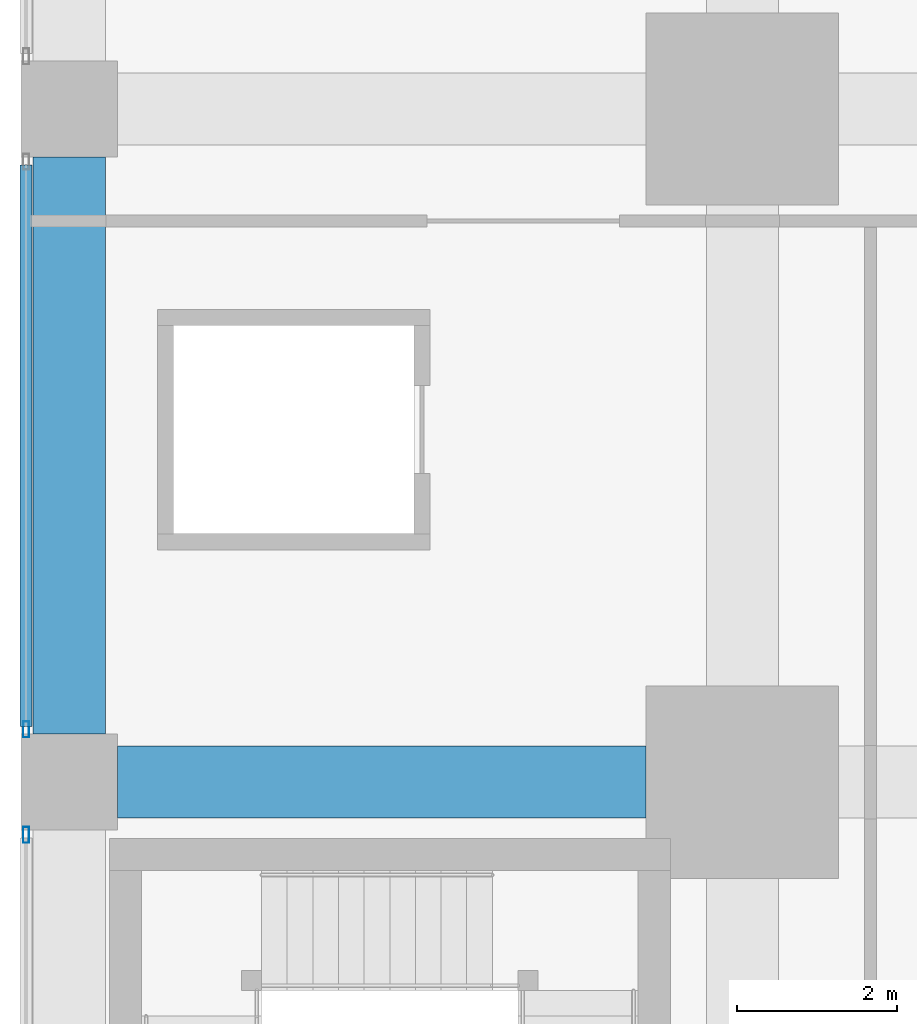
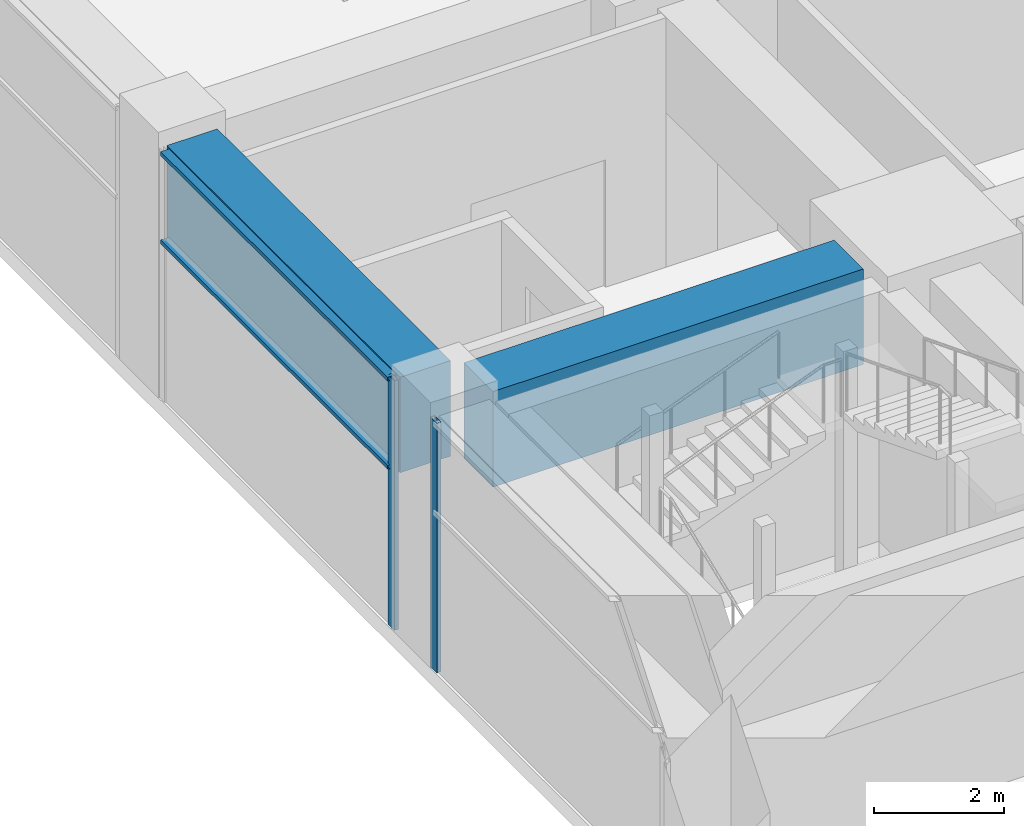
# One storey, part 17 of 49: 4 members, 2 beams, 2 elements without a shape of their own.
"""IFC4 building model written with IfcOpenShell, lengths in metres."""

import ifcopenshell
import ifcopenshell.guid

model = None  # the IFC model being written
_history = None  # IfcOwnerHistory: only IFC2X3 demands one
_inside = {}  # id of a spatial element -> (the spatial element, [elements in it])
_under = {}  # id of a project, library or spatial element -> (it, [spatial elements below it])
_declared = {}  # id of a project -> (the project, [libraries it declares])
_typed = {}  # id of a type object -> (the type object, [elements of that type])
_made_of = {}  # id of a material, layer set ... -> (it, [elements and type objects made of it])


def new_model(schema):
    """Start an empty IFC model of exactly this schema.

    Asked for "IFC4X3", IfcOpenShell would pick the latest addendum, in which some entities
    have other attributes; the version numbers below select the first issue.
    IFC2X3 requires an IfcOwnerHistory on every rooted entity: one is made here for all.
    """
    global model, _history
    if schema == "IFC4X3":
        model = ifcopenshell.file(schema_version=(4, 3, 0, 0))
    else:
        model = ifcopenshell.file(schema=schema)
    _inside.clear()
    _under.clear()
    _declared.clear()
    _typed.clear()
    _made_of.clear()
    _history = None
    if model.schema == "IFC2X3":
        org = make("IfcOrganization", Name="unknown")
        user = make(
            "IfcPersonAndOrganization",
            ThePerson=make("IfcPerson", FamilyName="unknown"),
            TheOrganization=org,
        )
        app = make(
            "IfcApplication",
            ApplicationDeveloper=org,
            Version="unknown",
            ApplicationFullName="unknown",
            ApplicationIdentifier="unknown",
        )
        _history = make(
            "IfcOwnerHistory",
            OwningUser=user,
            OwningApplication=app,
            ChangeAction="ADDED",
            CreationDate=0,
        )
    return model


def make(cls, **values):
    """One entity of the class cls with the attributes given. An attribute that is None is left unset."""
    return model.create_entity(
        cls, **{name: value for name, value in values.items() if value is not None}
    )


def rooted(cls, **values):
    """An entity with a GlobalId (a new one), such as an element, a storey or a relation."""
    return make(cls, GlobalId=ifcopenshell.guid.new(), OwnerHistory=_history, **values)


def si_unit(unit_type, name, prefix=None):
    """IfcSIUnit, for example si_unit("LENGTHUNIT", "METRE", prefix="MILLI")."""
    return make("IfcSIUnit", UnitType=unit_type, Prefix=prefix, Name=name)


def assignment(units):
    """IfcUnitAssignment: the units of a project."""
    return None if units is None else make("IfcUnitAssignment", Units=units)


def point(xyz):
    """IfcCartesianPoint."""
    return None if xyz is None else make("IfcCartesianPoint", Coordinates=xyz)


def direction(xyz):
    """IfcDirection."""
    return None if xyz is None else make("IfcDirection", DirectionRatios=xyz)


def frame(location, z_axis=None, x_axis=None):
    """IfcAxis2Placement3D, a coordinate frame: its origin and axes. An axis left out is left unset."""
    return make(
        "IfcAxis2Placement3D",
        Location=point(location),
        Axis=direction(z_axis),
        RefDirection=direction(x_axis),
    )


def frame_2d(location, x_axis=None):
    """IfcAxis2Placement2D, a coordinate frame in the plane: its origin and x axis."""
    return make(
        "IfcAxis2Placement2D", Location=point(location), RefDirection=direction(x_axis)
    )


def origin():
    """The frame at (0, 0, 0) with its axes left unset."""
    return frame((0.0, 0.0, 0.0))


def origin_2d():
    """The frame at (0, 0) in the plane with its x axis left unset."""
    return frame_2d((0.0, 0.0))


def place(relative_to, where):
    """IfcLocalPlacement: puts the frame where relative to a parent placement (None: the world)."""
    return make(
        "IfcLocalPlacement", PlacementRelTo=relative_to, RelativePlacement=where
    )


def context(
    kind, dimensions, precision=None, world=None, true_north=None, identifier=None
):
    """IfcGeometricRepresentationContext, for example the 3D "Model" context."""
    return make(
        "IfcGeometricRepresentationContext",
        ContextIdentifier=identifier,
        ContextType=kind,
        CoordinateSpaceDimension=dimensions,
        Precision=precision,
        WorldCoordinateSystem=world,
        TrueNorth=true_north,
    )


def subcontext(parent, identifier, kind, view, scale=None):
    """IfcGeometricRepresentationSubContext, for example "Body" below "Model"."""
    return make(
        "IfcGeometricRepresentationSubContext",
        ContextIdentifier=identifier,
        ContextType=kind,
        ParentContext=parent,
        TargetScale=scale,
        TargetView=view,
    )


def project(units=None, contexts=None):
    """IfcProject with its units and contexts."""
    return rooted(
        "IfcProject",
        Name="project",
        RepresentationContexts=contexts,
        UnitsInContext=assignment(units),
    )


def spatial(cls, under=None, at=None, **own):
    """A site, building, storey or space (cls), placed at a placement, below another one or the project."""
    s = rooted(cls, ObjectPlacement=at, **own)
    if under is not None:
        _under.setdefault(under.id(), (under, []))[1].append(s)
    return s


def profile(cls, at=None, kind="AREA", **sizes):
    """A parametric profile (cls). Its sizes go by their IFC names, for example OverallWidth=200.0."""
    return make(cls, ProfileType=kind, Position=at, **sizes)


def rectangle(**sizes):
    """IfcRectangleProfileDef."""
    return profile("IfcRectangleProfileDef", **sizes)


def hollow_rectangle(**sizes):
    """IfcRectangleHollowProfileDef."""
    return profile("IfcRectangleHollowProfileDef", **sizes)


def extrude(swept, where, along, depth):
    """IfcExtrudedAreaSolid: the profile swept, set in the frame where, extruded along a direction by depth."""
    return make(
        "IfcExtrudedAreaSolid",
        SweptArea=swept,
        Position=where,
        ExtrudedDirection=direction(along),
        Depth=depth,
    )


def shape(context_of_items, identifier, shape_type, items):
    """IfcShapeRepresentation: the items that make up one representation, for example the "Body"."""
    return make(
        "IfcShapeRepresentation",
        ContextOfItems=context_of_items,
        RepresentationIdentifier=identifier,
        RepresentationType=shape_type,
        Items=items,
    )


def material(Name=None, Category=None):
    """IfcMaterial."""
    return make("IfcMaterial", Name=Name, Category=Category)


def material_profile(
    of_material, cross_section, Name=None, Category=None, Priority=None
):
    """IfcMaterialProfile: a cross section and its material."""
    return make(
        "IfcMaterialProfile",
        Name=Name,
        Material=of_material,
        Profile=cross_section,
        Priority=Priority,
        Category=Category,
    )


def profile_set(profiles, Name=None, composite=None):
    """IfcMaterialProfileSet."""
    return make(
        "IfcMaterialProfileSet",
        Name=Name,
        MaterialProfiles=profiles,
        CompositeProfile=composite,
    )


def made_of(thing, what):
    """Note that an element or type object is made of a material, layer set ...; save() writes the relation."""
    if what is not None:
        _made_of.setdefault(what.id(), (what, []))[1].append(thing)
    return thing


def type_object(cls, material=None, **own):
    """A type object (cls), such as IfcWallType, which elements share."""
    return made_of(rooted(cls, **own), material)


def element(
    cls,
    number,
    at=None,
    inside=None,
    cuts=None,
    type_object=None,
    material=None,
    context=None,
    identifier="Body",
    shape_type=None,
    held_by="IfcProductDefinitionShape",
    body=None,
    shapes=None,
    **own,
):
    """One element of the class cls, such as IfcWall. Its Tag is "e" and its number.

    at: its placement. inside: the storey or other place that contains it. cuts: it is an
    opening in that element (IfcRelVoidsElement). A single representation is given by context,
    identifier, shape_type and body (its items); several are given by shapes. held_by: the class
    of the entity that holds the representations. save() writes the other relations.
    """
    e = rooted(cls, Tag="e%d" % number, ObjectPlacement=at, **own)
    if body is not None:
        shapes = [shape(context, identifier, shape_type, body)]
    if shapes is not None:
        e.Representation = make(held_by, Representations=shapes)
    if inside is not None:
        _inside.setdefault(inside.id(), (inside, []))[1].append(e)
    if cuts is not None:
        rooted(
            "IfcRelVoidsElement", RelatingBuildingElement=cuts, RelatedOpeningElement=e
        )
    if type_object is not None:
        _typed.setdefault(type_object.id(), (type_object, []))[1].append(e)
    return made_of(e, material)


def aggregate(whole, parts):
    """IfcRelAggregates: a whole, such as a stair, and the parts it consists of."""
    return rooted("IfcRelAggregates", RelatingObject=whole, RelatedObjects=parts)


def save(model, path):
    """Write the relations noted so far, then the file.

    IfcRelAggregates (storeys below a building ...), IfcRelContainedInSpatialStructure (elements
    in a storey), IfcRelDefinesByType, IfcRelAssociatesMaterial and IfcRelDeclares: one each for
    every whole, place, type object, material and project.
    """
    for whole, parts in _under.values():
        aggregate(whole, parts)
    for where, things in _inside.values():
        rooted(
            "IfcRelContainedInSpatialStructure",
            RelatedElements=things,
            RelatingStructure=where,
        )
    for kind, things in _typed.values():
        rooted("IfcRelDefinesByType", RelatedObjects=things, RelatingType=kind)
    for what, things in _made_of.values():
        rooted("IfcRelAssociatesMaterial", RelatedObjects=things, RelatingMaterial=what)
    for by, libraries in _declared.values():
        rooted("IfcRelDeclares", RelatingContext=by, RelatedDefinitions=libraries)
    model.write(path)


model = new_model("IFC4")

# Units and contexts
model_context = context("Model", 3, precision=1e-05, world=origin(), true_north=direction((0.0, 1.0)))
body_context = subcontext(model_context, "Body", "Model", "MODEL_VIEW")
ifc_project = project(units=[si_unit("LENGTHUNIT", "METRE"), si_unit("AREAUNIT", "SQUARE_METRE"), si_unit("VOLUMEUNIT", "CUBIC_METRE"), si_unit("PLANEANGLEUNIT", "RADIAN"), si_unit("MASSUNIT", "GRAM", prefix="KILO")], contexts=[model_context])

# Site, building, storey
site_placement = place(None, origin())
site = spatial("IfcSite", under=ifc_project, at=site_placement, CompositionType="ELEMENT")
building_placement = place(site_placement, origin())
building = spatial("IfcBuilding", under=site, at=building_placement, Name="Rekha Terrace Tower", CompositionType="ELEMENT")
storey_placement = place(building_placement, frame((0.0, 0.0, 10.39990234375)))
storey = spatial("IfcBuildingStorey", under=building, at=storey_placement, Name="L02", CompositionType="ELEMENT", Elevation=10.39990234375)

# Curtain wall, member
ifc_material_1 = material(Name="Aluminium framing", Category="aluminium")
curtain_wall_type = type_object("IfcCurtainWallType", Name="CW4 podium shopfront glazing", PredefinedType="USERDEFINED", material=ifc_material_1)
curtain_wall_1_placement = place(storey_placement, origin())
curtain_wall_1 = element("IfcCurtainWall", 1, at=curtain_wall_1_placement, inside=storey, type_object=curtain_wall_type, Name="CW4 shopfront curtain wall", ObjectType="SHOPFRONT CURTAIN WALL", PredefinedType="USERDEFINED")
ifc_material_2 = material(Name="Aluminium mullion section", Category="aluminium")
ifc_material_profile_1 = material_profile(ifc_material_2, hollow_rectangle(XDim=0.074951171875, YDim=0.199951171875, WallThickness=0.00390625, at=origin_2d()), Name="AL RHS 75x200")
ifc_profile_set_1 = profile_set([ifc_material_profile_1], Name="Aluminium mullion section")
member_type_1 = type_object("IfcMemberType", Name="CW4 mullion RHS 75 x 200", PredefinedType="MULLION", material=ifc_profile_set_1)
member_1_placement = place(storey_placement, frame((-0.5400390625, 34.257568359375, 0.0), z_axis=(0.0, 0.0, 1.0), x_axis=(1.0, 0.0, 0.0)))
member_1 = element("IfcMember", 2, at=member_1_placement, type_object=member_type_1, Name="CW4 mullion 2", PredefinedType="MULLION", context=body_context, shape_type="SweptSolid", body=[
    extrude(hollow_rectangle(XDim=0.074951171875, YDim=0.199951171875, WallThickness=0.00390625, at=origin_2d()), origin(), (0.0, 0.0, 1.0), 4.7001953125),
])

curtain_wall_2_placement = place(storey_placement, origin())
curtain_wall_2 = element("IfcCurtainWall", 3, at=curtain_wall_2_placement, inside=storey, type_object=curtain_wall_type, Name="CW4 shopfront curtain wall", ObjectType="SHOPFRONT CURTAIN WALL", PredefinedType="USERDEFINED")
member_2_placement = place(storey_placement, frame((-0.5400390625, 32.9423828125, 0.0), z_axis=(0.0, 0.0, 1.0), x_axis=(1.0, 0.0, 0.0)))
member_2 = element("IfcMember", 4, at=member_2_placement, type_object=member_type_1, Name="CW4 mullion 1", PredefinedType="MULLION", context=body_context, shape_type="SweptSolid", body=[
    extrude(hollow_rectangle(XDim=0.074951171875, YDim=0.199951171875, WallThickness=0.00390625, at=origin_2d()), origin(), (0.0, 0.0, 1.0), 4.7001953125),
])
aggregate(curtain_wall_2, [member_2])

# Member
ifc_material_3 = material(Name="Aluminium transom section", Category="aluminium")
ifc_material_profile_2 = material_profile(ifc_material_3, hollow_rectangle(XDim=0.14990234375, YDim=0.074951171875, WallThickness=0.0029296875, at=origin_2d()), Name="AL RHS 150x75")
ifc_profile_set_2 = profile_set([ifc_material_profile_2], Name="Aluminium transom section")
member_type_2 = type_object("IfcMemberType", Name="CW4 transom RHS 75 x 150", PredefinedType="USERDEFINED", material=ifc_profile_set_2)
member_3_placement = place(storey_placement, frame((-0.5400390625, 41.304931640625, 3.0), z_axis=(0.0, -1.0, 0.0), x_axis=(1.0, 0.0, 0.0)))
member_3 = element("IfcMember", 5, at=member_3_placement, type_object=member_type_2, Name="CW4 transom 1.2", ObjectType="TRANSOM", PredefinedType="USERDEFINED", context=body_context, shape_type="SweptSolid", body=[
    extrude(hollow_rectangle(XDim=0.14990234375, YDim=0.074951171875, WallThickness=0.0029296875, at=origin_2d()), origin(), (0.0, 0.0, 1.0), 7.010009765625),
])

member_4_placement = place(storey_placement, frame((-0.5400390625, 41.304931640625, 4.66259765625), z_axis=(0.0, -1.0, 0.0), x_axis=(1.0, 0.0, 0.0)))
member_4 = element("IfcMember", 6, at=member_4_placement, type_object=member_type_2, Name="CW4 transom 1.3", ObjectType="TRANSOM", PredefinedType="USERDEFINED", context=body_context, shape_type="SweptSolid", body=[
    extrude(hollow_rectangle(XDim=0.14990234375, YDim=0.074951171875, WallThickness=0.0029296875, at=origin_2d()), origin(), (0.0, 0.0, 1.0), 7.010009765625),
])

aggregate(curtain_wall_1, [member_1, member_3, member_4])

# Beams
ifc_material_4 = material(Name="Concrete M60", Category="concrete")
ifc_material_profile_3 = material_profile(ifc_material_4, rectangle(XDim=0.89990234375, YDim=1.800048828125, at=origin_2d()), Name="RC 900x1800")
ifc_profile_set_3 = profile_set([ifc_material_profile_3], Name="Concrete M60")
beam_type = type_object("IfcBeamType", Name="G1 900x1800 podium floor beam", PredefinedType="BEAM", material=ifc_profile_set_3)
beam_1_placement = place(storey_placement, frame((0.60009765625, 33.60009765625, 3.800048828125), z_axis=(1.0, 0.0, 0.0), x_axis=(0.0, 1.0, 0.0)))
element("IfcBeam", 7, at=beam_1_placement, inside=storey, type_object=beam_type, Name="Beam G1 1E-2E under L03", PredefinedType="BEAM", context=body_context, shape_type="SweptSolid", body=[
    extrude(rectangle(XDim=0.89990234375, YDim=1.800048828125, at=origin_2d()), origin(), (0.0, 0.0, 1.0), 6.599853515625),
])
beam_2_placement = place(storey_placement, frame((0.0, 34.199951171875, 3.800048828125), z_axis=(0.0, 1.0, 0.0), x_axis=(-1.0, 0.0, 0.0)))
element("IfcBeam", 8, at=beam_2_placement, inside=storey, type_object=beam_type, Name="Beam G1 1E-1F under L03", PredefinedType="BEAM", context=body_context, shape_type="SweptSolid", body=[
    extrude(rectangle(XDim=0.89990234375, YDim=1.800048828125, at=origin_2d()), origin(), (0.0, 0.0, 1.0), 7.199951171875),
])

save(model, "model.ifc")
